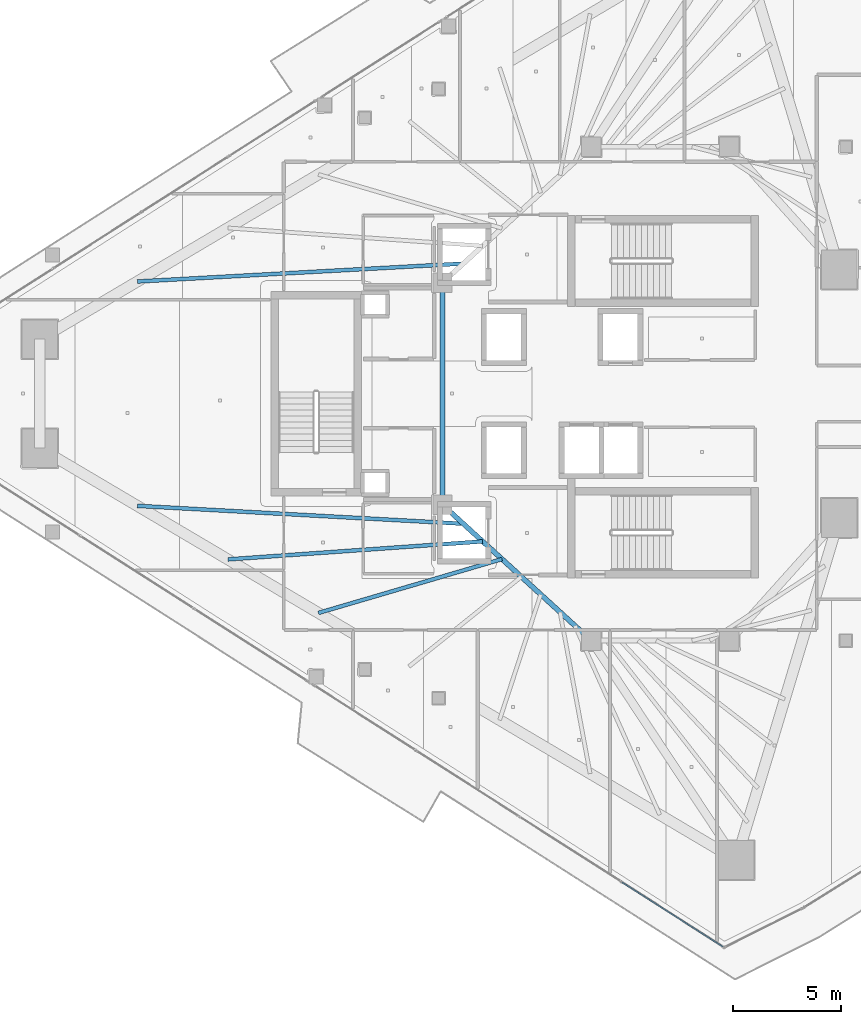
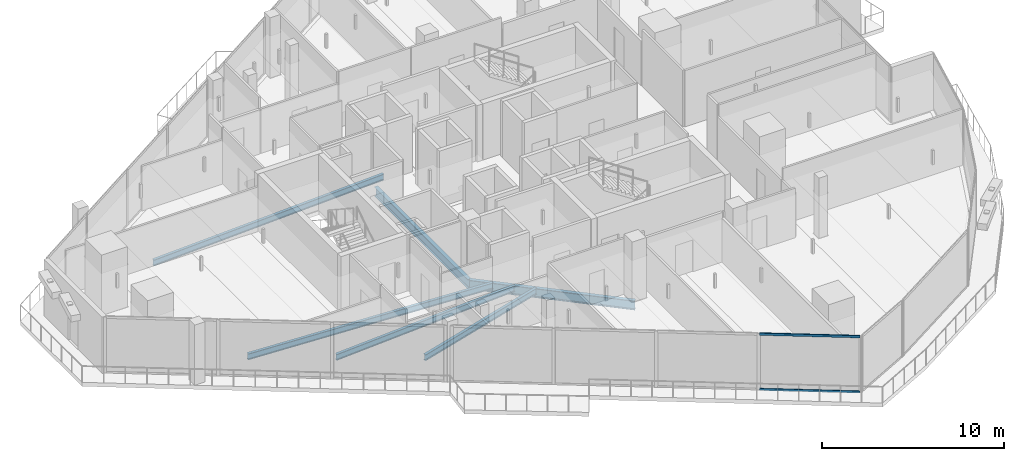
# One storey, part 8 of 36: 6 beams, 2 members, 1 element without a shape of its own.
"""IFC4 building model written with IfcOpenShell, lengths in metres."""

from ifc_helpers import new_model, si_unit, direction, frame, origin, origin_2d, place, context, subcontext, project, spatial, hollow_rectangle, i_section, extrude, material, layer, layer_set, material_profile, profile_set, type_object, element, aggregate, save


model = new_model("IFC4")

# Units and contexts
model_context = context("Model", 3, precision=1e-05, world=origin(), true_north=direction((0.0, 1.0)))
body_context = subcontext(model_context, "Body", "Model", "MODEL_VIEW")
ifc_project = project(units=[si_unit("LENGTHUNIT", "METRE"), si_unit("AREAUNIT", "SQUARE_METRE"), si_unit("VOLUMEUNIT", "CUBIC_METRE"), si_unit("PLANEANGLEUNIT", "RADIAN"), si_unit("MASSUNIT", "GRAM", prefix="KILO")], contexts=[model_context])

# Site, building, storey
site_placement = place(None, origin())
site = spatial("IfcSite", under=ifc_project, at=site_placement, CompositionType="ELEMENT")
building_placement = place(site_placement, origin())
building = spatial("IfcBuilding", under=site, at=building_placement, Name="Qorvath Tower", CompositionType="ELEMENT")
storey_placement = place(building_placement, frame((0.0, 0.0, 241.5)))
storey = spatial("IfcBuildingStorey", under=building, at=storey_placement, Name="L56", CompositionType="ELEMENT", Elevation=241.5)

# Beams
ifc_material_1 = material(Name="Steel ASTM A992 Grade 50", Category="steel")
ifc_material_profile_1 = material_profile(ifc_material_1, i_section(OverallWidth=0.22998046875, OverallDepth=0.616943359375, WebThickness=0.01318359375, FlangeThickness=0.022216796875, FilletRadius=0.014892578125, at=origin_2d()), Name="W24x94")
ifc_profile_set_1 = profile_set([ifc_material_profile_1], Name="Steel ASTM A992 Grade 50")
beam_type_1 = type_object("IfcBeamType", Name="BM-FG6", PredefinedType="BEAM", material=ifc_profile_set_1)
beam_1_placement = place(storey_placement, frame((-23.60009765625, -11.449951171875, -0.57861328125), z_axis=(-0.73847813985, 0.6742774184, 0.0), x_axis=(-0.6742774184, -0.73847813985, 0.0)))
element("IfcBeam", 1, at=beam_1_placement, inside=storey, type_object=beam_type_1, Name="Core Ring Girder CC4-CC6 L56", PredefinedType="BEAM", context=body_context, shape_type="SweptSolid", body=[
    extrude(i_section(OverallWidth=0.22998046875, OverallDepth=0.616943359375, WebThickness=0.01318359375, FlangeThickness=0.022216796875, FilletRadius=0.014892578125, at=origin_2d()), origin(), (0.0, 0.0, 1.0), 9.343505859375),
])
beam_2_placement = place(storey_placement, frame((-30.5, -5.14990234375, -0.57861328125), z_axis=(0.0, 1.0, 0.0), x_axis=(-1.0, 0.0, 0.0)))
element("IfcBeam", 2, at=beam_2_placement, inside=storey, type_object=beam_type_1, Name="Core Ring Girder CC6-CC5 L56", PredefinedType="BEAM", context=body_context, shape_type="SweptSolid", body=[
    extrude(i_section(OverallWidth=0.22998046875, OverallDepth=0.616943359375, WebThickness=0.01318359375, FlangeThickness=0.022216796875, FilletRadius=0.014892578125, at=origin_2d()), origin(), (0.0, 0.0, 1.0), 10.2998046875),
])
ifc_material_2 = material(Name="Steel ASTM A992 Grade 50", Category="steel")
ifc_material_profile_2 = material_profile(ifc_material_2, i_section(OverallWidth=0.177978515625, OverallDepth=0.406005859375, WebThickness=0.0078125, FlangeThickness=0.0126953125, FilletRadius=0.010986328125, at=origin_2d()), Name="W16x40")
ifc_profile_set_2 = profile_set([ifc_material_profile_2], Name="Steel ASTM A992 Grade 50")
beam_type_2 = type_object("IfcBeamType", Name="BM-FJ3", PredefinedType="JOIST", material=ifc_profile_set_2)
for number, where, z_axis, x_axis, name in (
    (3, (-29.533935546875, 6.031982421875, -0.472900390625), (-0.998494745044, -0.054847462293, 0.0), (0.054847462293, -0.998494745044, 0.0), "Composite Floor Joist NW1 L56"),
    (4, (-29.533935546875, -6.031982421875, -0.472900390625), (-0.998494745044, 0.054847462293, 0.0), (-0.054847462293, -0.998494745044, 0.0), "Composite Floor Joist SW1 L56"),
):
    element("IfcBeam", number, at=place(storey_placement, frame(where, z_axis=z_axis, x_axis=x_axis)), inside=storey, type_object=beam_type_2, Name=name, PredefinedType="JOIST", context=body_context, shape_type="SweptSolid", body=[
        extrude(i_section(OverallWidth=0.177978515625, OverallDepth=0.406005859375, WebThickness=0.0078125, FlangeThickness=0.0126953125, FilletRadius=0.010986328125, at=origin_2d()), origin(), (0.0, 0.0, 1.0), 15.138671875),
    ])
beam_3_placement = place(storey_placement, frame((-28.636962890625, -6.85107421875, -0.472900390625), z_axis=(-0.997520476731, -0.070376832146, 0.0), x_axis=(0.070376832146, -0.997520476731, 0.0)))
element("IfcBeam", 5, at=beam_3_placement, inside=storey, type_object=beam_type_2, Name="Composite Floor Joist SW2 L56", PredefinedType="JOIST", context=body_context, shape_type="SweptSolid", body=[
    extrude(i_section(OverallWidth=0.177978515625, OverallDepth=0.406005859375, WebThickness=0.0078125, FlangeThickness=0.0126953125, FilletRadius=0.010986328125, at=origin_2d()), origin(), (0.0, 0.0, 1.0), 11.84326171875),
])
beam_4_placement = place(storey_placement, frame((-27.739990234375, -7.669921875, -0.472900390625), z_axis=(-0.959544992264, -0.281555337049, 0.0), x_axis=(0.281555337049, -0.959544992264, 0.0)))
element("IfcBeam", 6, at=beam_4_placement, inside=storey, type_object=beam_type_2, Name="Composite Floor Joist SW3 L56", PredefinedType="JOIST", context=body_context, shape_type="SweptSolid", body=[
    extrude(i_section(OverallWidth=0.177978515625, OverallDepth=0.406005859375, WebThickness=0.0078125, FlangeThickness=0.0126953125, FilletRadius=0.010986328125, at=origin_2d()), origin(), (0.0, 0.0, 1.0), 8.87060546875),
])

# Curtain wall, members
ifc_material_3 = material(Name="Anodised aluminium and triple low-E glass", Category="aluminium")
ifc_layer = layer(ifc_material_3, 0.179931640625)
ifc_layer_set = layer_set([ifc_layer], Name="CW-SYS-3")
curtain_wall_type = type_object("IfcCurtainWallType", Name="CW-SYS-3", PredefinedType="NOTDEFINED", material=ifc_layer_set)
curtain_wall_placement = place(storey_placement, origin())
curtain_wall = element("IfcCurtainWall", 7, at=curtain_wall_placement, inside=storey, type_object=curtain_wall_type, Name="Curtain Wall CW-3 CW-T-L56-2.2", PredefinedType="NOTDEFINED")
ifc_material_4 = material(Name="Anodised aluminium 6063-T6", Category="aluminium")
ifc_material_profile_3 = material_profile(ifc_material_4, hollow_rectangle(XDim=0.06494140625, YDim=0.159912109375, WallThickness=0.00341796875, InnerFilletRadius=0.00341796875, OuterFilletRadius=0.007080078125, at=origin_2d()), Name="CWT 160x65")
ifc_profile_set_3 = profile_set([ifc_material_profile_3], Name="Anodised aluminium 6063-T6")
member_type = type_object("IfcMemberType", Name="CWT-160", PredefinedType="USERDEFINED", material=ifc_profile_set_3)
member_1_placement = place(storey_placement, frame((-22.175048828125, -22.65673828125, 0.032470703125), z_axis=(0.842623152568, -0.538503688711, 0.0), x_axis=(0.538503688711, 0.842623152568, 0.0)))
member_1 = element("IfcMember", 8, at=member_1_placement, type_object=member_type, Name="CW-3 transom 4.1", ObjectType="TRANSOM", PredefinedType="USERDEFINED", context=body_context, shape_type="SweptSolid", body=[
    extrude(hollow_rectangle(XDim=0.06494140625, YDim=0.159912109375, WallThickness=0.00341796875, InnerFilletRadius=0.00341796875, OuterFilletRadius=0.007080078125, at=origin_2d()), origin(), (0.0, 0.0, 1.0), 5.55615234375),
])
member_2_placement = place(storey_placement, frame((-22.175048828125, -22.65673828125, 3.74755859375), z_axis=(0.842623152568, -0.538503688711, 0.0), x_axis=(0.538503688711, 0.842623152568, 0.0)))
member_2 = element("IfcMember", 9, at=member_2_placement, type_object=member_type, Name="CW-3 transom 4.2", ObjectType="TRANSOM", PredefinedType="USERDEFINED", context=body_context, shape_type="SweptSolid", body=[
    extrude(hollow_rectangle(XDim=0.06494140625, YDim=0.159912109375, WallThickness=0.00341796875, InnerFilletRadius=0.00341796875, OuterFilletRadius=0.007080078125, at=origin_2d()), origin(), (0.0, 0.0, 1.0), 5.55615234375),
])
aggregate(curtain_wall, [member_1, member_2])

save(model, "model.ifc")
